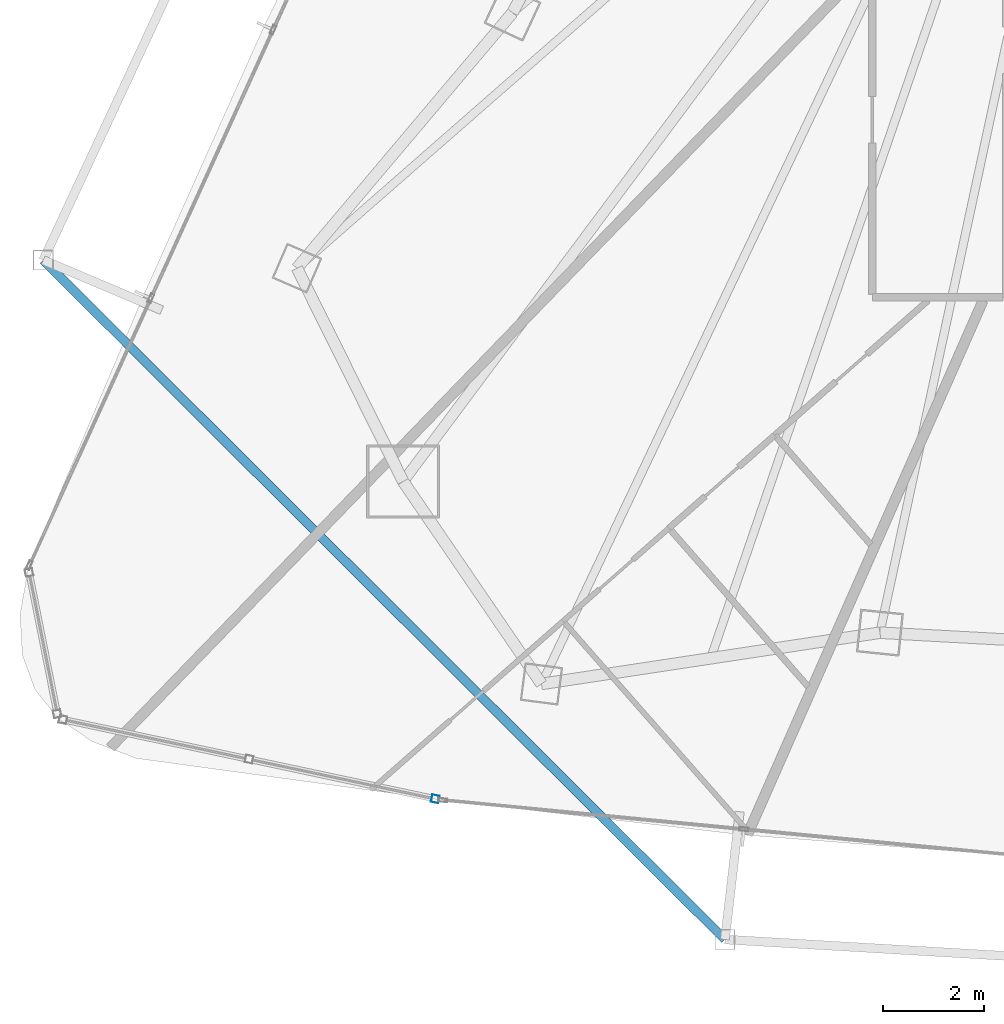
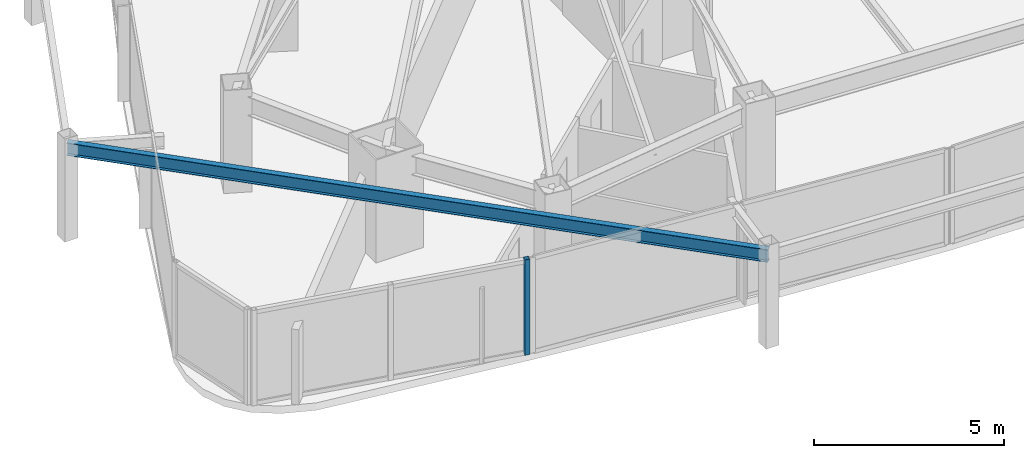
# One storey, part 3 of 31: 1 beam, 1 member, 1 element without a shape of its own.
"""IFC4 building model written with IfcOpenShell, lengths in metres."""

import ifcopenshell
import ifcopenshell.guid

model = None  # the IFC model being written
_history = None  # IfcOwnerHistory: only IFC2X3 demands one
_inside = {}  # id of a spatial element -> (the spatial element, [elements in it])
_under = {}  # id of a project, library or spatial element -> (it, [spatial elements below it])
_declared = {}  # id of a project -> (the project, [libraries it declares])
_typed = {}  # id of a type object -> (the type object, [elements of that type])
_made_of = {}  # id of a material, layer set ... -> (it, [elements and type objects made of it])


def new_model(schema):
    """Start an empty IFC model of exactly this schema.

    Asked for "IFC4X3", IfcOpenShell would pick the latest addendum, in which some entities
    have other attributes; the version numbers below select the first issue.
    IFC2X3 requires an IfcOwnerHistory on every rooted entity: one is made here for all.
    """
    global model, _history
    if schema == "IFC4X3":
        model = ifcopenshell.file(schema_version=(4, 3, 0, 0))
    else:
        model = ifcopenshell.file(schema=schema)
    _inside.clear()
    _under.clear()
    _declared.clear()
    _typed.clear()
    _made_of.clear()
    _history = None
    if model.schema == "IFC2X3":
        org = make("IfcOrganization", Name="unknown")
        user = make(
            "IfcPersonAndOrganization",
            ThePerson=make("IfcPerson", FamilyName="unknown"),
            TheOrganization=org,
        )
        app = make(
            "IfcApplication",
            ApplicationDeveloper=org,
            Version="unknown",
            ApplicationFullName="unknown",
            ApplicationIdentifier="unknown",
        )
        _history = make(
            "IfcOwnerHistory",
            OwningUser=user,
            OwningApplication=app,
            ChangeAction="ADDED",
            CreationDate=0,
        )
    return model


def make(cls, **values):
    """One entity of the class cls with the attributes given. An attribute that is None is left unset."""
    return model.create_entity(
        cls, **{name: value for name, value in values.items() if value is not None}
    )


def rooted(cls, **values):
    """An entity with a GlobalId (a new one), such as an element, a storey or a relation."""
    return make(cls, GlobalId=ifcopenshell.guid.new(), OwnerHistory=_history, **values)


def si_unit(unit_type, name, prefix=None):
    """IfcSIUnit, for example si_unit("LENGTHUNIT", "METRE", prefix="MILLI")."""
    return make("IfcSIUnit", UnitType=unit_type, Prefix=prefix, Name=name)


def assignment(units):
    """IfcUnitAssignment: the units of a project."""
    return None if units is None else make("IfcUnitAssignment", Units=units)


def point(xyz):
    """IfcCartesianPoint."""
    return None if xyz is None else make("IfcCartesianPoint", Coordinates=xyz)


def direction(xyz):
    """IfcDirection."""
    return None if xyz is None else make("IfcDirection", DirectionRatios=xyz)


def frame(location, z_axis=None, x_axis=None):
    """IfcAxis2Placement3D, a coordinate frame: its origin and axes. An axis left out is left unset."""
    return make(
        "IfcAxis2Placement3D",
        Location=point(location),
        Axis=direction(z_axis),
        RefDirection=direction(x_axis),
    )


def frame_2d(location, x_axis=None):
    """IfcAxis2Placement2D, a coordinate frame in the plane: its origin and x axis."""
    return make(
        "IfcAxis2Placement2D", Location=point(location), RefDirection=direction(x_axis)
    )


def origin():
    """The frame at (0, 0, 0) with its axes left unset."""
    return frame((0.0, 0.0, 0.0))


def origin_2d():
    """The frame at (0, 0) in the plane with its x axis left unset."""
    return frame_2d((0.0, 0.0))


def place(relative_to, where):
    """IfcLocalPlacement: puts the frame where relative to a parent placement (None: the world)."""
    return make(
        "IfcLocalPlacement", PlacementRelTo=relative_to, RelativePlacement=where
    )


def context(
    kind, dimensions, precision=None, world=None, true_north=None, identifier=None
):
    """IfcGeometricRepresentationContext, for example the 3D "Model" context."""
    return make(
        "IfcGeometricRepresentationContext",
        ContextIdentifier=identifier,
        ContextType=kind,
        CoordinateSpaceDimension=dimensions,
        Precision=precision,
        WorldCoordinateSystem=world,
        TrueNorth=true_north,
    )


def subcontext(parent, identifier, kind, view, scale=None):
    """IfcGeometricRepresentationSubContext, for example "Body" below "Model"."""
    return make(
        "IfcGeometricRepresentationSubContext",
        ContextIdentifier=identifier,
        ContextType=kind,
        ParentContext=parent,
        TargetScale=scale,
        TargetView=view,
    )


def project(units=None, contexts=None):
    """IfcProject with its units and contexts."""
    return rooted(
        "IfcProject",
        Name="project",
        RepresentationContexts=contexts,
        UnitsInContext=assignment(units),
    )


def spatial(cls, under=None, at=None, **own):
    """A site, building, storey or space (cls), placed at a placement, below another one or the project."""
    s = rooted(cls, ObjectPlacement=at, **own)
    if under is not None:
        _under.setdefault(under.id(), (under, []))[1].append(s)
    return s


def profile(cls, at=None, kind="AREA", **sizes):
    """A parametric profile (cls). Its sizes go by their IFC names, for example OverallWidth=200.0."""
    return make(cls, ProfileType=kind, Position=at, **sizes)


def hollow_rectangle(**sizes):
    """IfcRectangleHollowProfileDef."""
    return profile("IfcRectangleHollowProfileDef", **sizes)


def i_section(**sizes):
    """IfcIShapeProfileDef."""
    return profile("IfcIShapeProfileDef", **sizes)


def extrude(swept, where, along, depth):
    """IfcExtrudedAreaSolid: the profile swept, set in the frame where, extruded along a direction by depth."""
    return make(
        "IfcExtrudedAreaSolid",
        SweptArea=swept,
        Position=where,
        ExtrudedDirection=direction(along),
        Depth=depth,
    )


def shape(context_of_items, identifier, shape_type, items):
    """IfcShapeRepresentation: the items that make up one representation, for example the "Body"."""
    return make(
        "IfcShapeRepresentation",
        ContextOfItems=context_of_items,
        RepresentationIdentifier=identifier,
        RepresentationType=shape_type,
        Items=items,
    )


def material(Name=None, Category=None):
    """IfcMaterial."""
    return make("IfcMaterial", Name=Name, Category=Category)


def layer(
    of_material, thickness, ventilated=None, Name=None, Category=None, Priority=None
):
    """IfcMaterialLayer: one layer of a wall or slab, of a material (None: an air gap)."""
    return make(
        "IfcMaterialLayer",
        Material=of_material,
        LayerThickness=thickness,
        IsVentilated=ventilated,
        Name=Name,
        Category=Category,
        Priority=Priority,
    )


def layer_set(layers, Name=None):
    """IfcMaterialLayerSet."""
    return make("IfcMaterialLayerSet", MaterialLayers=layers, LayerSetName=Name)


def material_profile(
    of_material, cross_section, Name=None, Category=None, Priority=None
):
    """IfcMaterialProfile: a cross section and its material."""
    return make(
        "IfcMaterialProfile",
        Name=Name,
        Material=of_material,
        Profile=cross_section,
        Priority=Priority,
        Category=Category,
    )


def profile_set(profiles, Name=None, composite=None):
    """IfcMaterialProfileSet."""
    return make(
        "IfcMaterialProfileSet",
        Name=Name,
        MaterialProfiles=profiles,
        CompositeProfile=composite,
    )


def made_of(thing, what):
    """Note that an element or type object is made of a material, layer set ...; save() writes the relation."""
    if what is not None:
        _made_of.setdefault(what.id(), (what, []))[1].append(thing)
    return thing


def type_object(cls, material=None, **own):
    """A type object (cls), such as IfcWallType, which elements share."""
    return made_of(rooted(cls, **own), material)


def element(
    cls,
    number,
    at=None,
    inside=None,
    cuts=None,
    type_object=None,
    material=None,
    context=None,
    identifier="Body",
    shape_type=None,
    held_by="IfcProductDefinitionShape",
    body=None,
    shapes=None,
    **own,
):
    """One element of the class cls, such as IfcWall. Its Tag is "e" and its number.

    at: its placement. inside: the storey or other place that contains it. cuts: it is an
    opening in that element (IfcRelVoidsElement). A single representation is given by context,
    identifier, shape_type and body (its items); several are given by shapes. held_by: the class
    of the entity that holds the representations. save() writes the other relations.
    """
    e = rooted(cls, Tag="e%d" % number, ObjectPlacement=at, **own)
    if body is not None:
        shapes = [shape(context, identifier, shape_type, body)]
    if shapes is not None:
        e.Representation = make(held_by, Representations=shapes)
    if inside is not None:
        _inside.setdefault(inside.id(), (inside, []))[1].append(e)
    if cuts is not None:
        rooted(
            "IfcRelVoidsElement", RelatingBuildingElement=cuts, RelatedOpeningElement=e
        )
    if type_object is not None:
        _typed.setdefault(type_object.id(), (type_object, []))[1].append(e)
    return made_of(e, material)


def aggregate(whole, parts):
    """IfcRelAggregates: a whole, such as a stair, and the parts it consists of."""
    return rooted("IfcRelAggregates", RelatingObject=whole, RelatedObjects=parts)


def save(model, path):
    """Write the relations noted so far, then the file.

    IfcRelAggregates (storeys below a building ...), IfcRelContainedInSpatialStructure (elements
    in a storey), IfcRelDefinesByType, IfcRelAssociatesMaterial and IfcRelDeclares: one each for
    every whole, place, type object, material and project.
    """
    for whole, parts in _under.values():
        aggregate(whole, parts)
    for where, things in _inside.values():
        rooted(
            "IfcRelContainedInSpatialStructure",
            RelatedElements=things,
            RelatingStructure=where,
        )
    for kind, things in _typed.values():
        rooted("IfcRelDefinesByType", RelatedObjects=things, RelatingType=kind)
    for what, things in _made_of.values():
        rooted("IfcRelAssociatesMaterial", RelatedObjects=things, RelatingMaterial=what)
    for by, libraries in _declared.values():
        rooted("IfcRelDeclares", RelatingContext=by, RelatedDefinitions=libraries)
    model.write(path)


model = new_model("IFC4")

# Units and contexts
model_context = context("Model", 3, precision=1e-05, world=origin(), true_north=direction((0.0, 1.0)))
body_context = subcontext(model_context, "Body", "Model", "MODEL_VIEW")
ifc_project = project(units=[si_unit("LENGTHUNIT", "METRE"), si_unit("AREAUNIT", "SQUARE_METRE"), si_unit("VOLUMEUNIT", "CUBIC_METRE"), si_unit("PLANEANGLEUNIT", "RADIAN"), si_unit("MASSUNIT", "GRAM", prefix="KILO")], contexts=[model_context])

# Site, building, storey
site_placement = place(None, origin())
site = spatial("IfcSite", under=ifc_project, at=site_placement, CompositionType="ELEMENT")
building_placement = place(site_placement, origin())
building = spatial("IfcBuilding", under=site, at=building_placement, Name="Orvanel Arch Residences", CompositionType="ELEMENT")
storey_placement = place(building_placement, frame((0.0, 0.0, 106.699951171875)))
storey = spatial("IfcBuildingStorey", under=building, at=storey_placement, Name="L29", CompositionType="ELEMENT", Elevation=106.699951171875)

# Curtain wall, member
ifc_material_1 = material(Name="Bronze-anodised aluminium AA6063-T6", Category="aluminium")
ifc_layer = layer(ifc_material_1, 0.18994140625)
ifc_layer_set = layer_set([ifc_layer], Name="Bronze-anodised aluminium AA6063-T6")
curtain_wall_type = type_object("IfcCurtainWallType", Name="CW5-CRN-SYS", PredefinedType="NOTDEFINED", material=ifc_layer_set)
curtain_wall_placement = place(storey_placement, origin())
curtain_wall = element("IfcCurtainWall", 1, at=curtain_wall_placement, inside=storey, type_object=curtain_wall_type, Name="L29 CW5-CRN-SYS Unitised Curtain Wall", PredefinedType="NOTDEFINED")
ifc_material_profile_1 = material_profile(ifc_material_1, hollow_rectangle(XDim=0.14990234375, YDim=0.14990234375, WallThickness=0.0048828125, at=origin_2d()), Name="ALU150x150x5")
ifc_profile_set_1 = profile_set([ifc_material_profile_1], Name="Bronze-anodised aluminium AA6063-T6")
member_type = type_object("IfcMemberType", Name="MUL-150x150", PredefinedType="MULLION", material=ifc_profile_set_1)
member_placement = place(storey_placement, frame((14.836669921875, 4.060546875, 0.0), z_axis=(0.0, 0.0, 1.0), x_axis=(0.208295433244, 0.978065955082, 0.0)))
member = element("IfcMember", 2, at=member_placement, type_object=member_type, Name="CW-S5 mullion 3", PredefinedType="MULLION", context=body_context, shape_type="SweptSolid", body=[
    extrude(hollow_rectangle(XDim=0.14990234375, YDim=0.14990234375, WallThickness=0.0048828125, at=origin_2d()), origin(), (0.0, 0.0, 1.0), 3.06005859375),
])
aggregate(curtain_wall, [member])

# Beam
ifc_material_2 = material(Name="Structural steel AS/NZS 3679.1 Grade 300 (300 MPa)", Category="steel")
ifc_material_profile_2 = material_profile(ifc_material_2, i_section(OverallWidth=0.177978515625, OverallDepth=0.406005859375, WebThickness=0.0078125, FlangeThickness=0.0126953125, at=origin_2d()), Name="410UB59.7")
ifc_profile_set_2 = profile_set([ifc_material_profile_2], Name="Structural steel AS/NZS 3679.1 Grade 300 (300 MPa)")
beam_type = type_object("IfcBeamType", Name="OB-410UB-EXT", PredefinedType="SPANDREL", material=ifc_profile_set_2)
beam_placement = place(storey_placement, frame((7.06591796875, 14.739013671875, 2.85693359375), z_axis=(0.708308862663, -0.705902652689, 0.0), x_axis=(0.705902652689, 0.708308862663, 0.0)))
element("IfcBeam", 3, at=beam_placement, inside=storey, type_object=beam_type, Name="L29 Outer Perimeter Floor Ring Beam 04", PredefinedType="SPANDREL", context=body_context, shape_type="SweptSolid", body=[
    extrude(i_section(OverallWidth=0.177978515625, OverallDepth=0.406005859375, WebThickness=0.0078125, FlangeThickness=0.0126953125, at=origin_2d()), origin(), (0.0, 0.0, 1.0), 19.074951171875),
])

save(model, "model.ifc")
